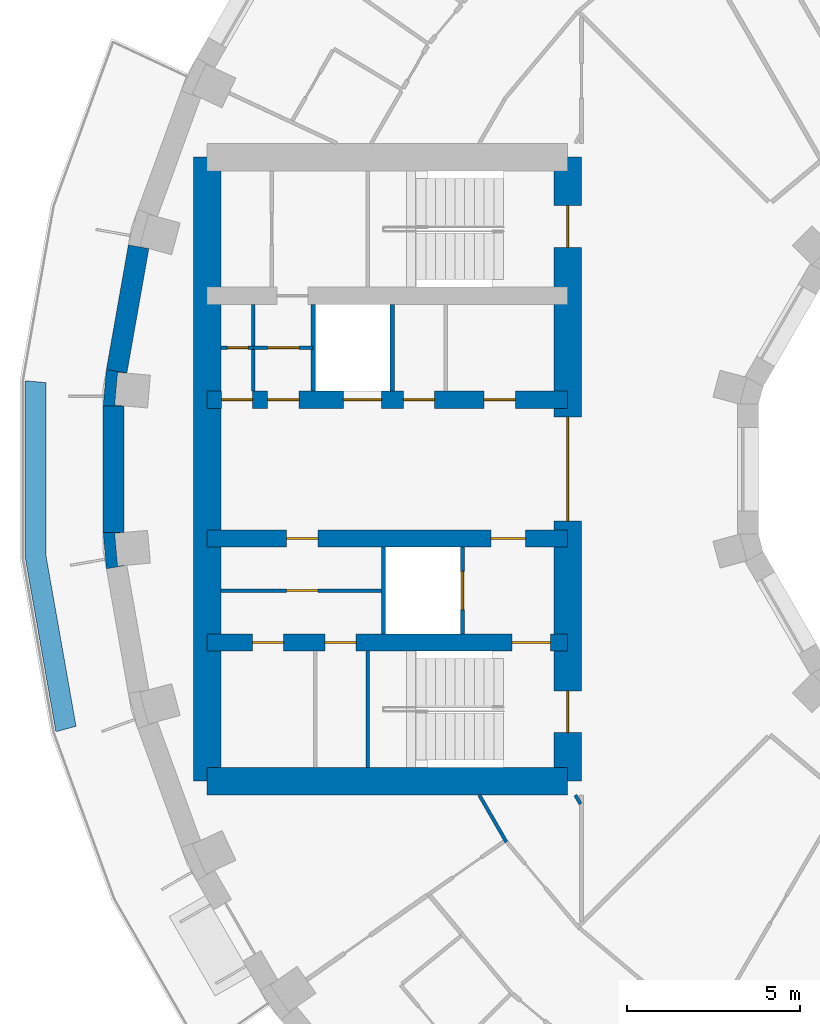
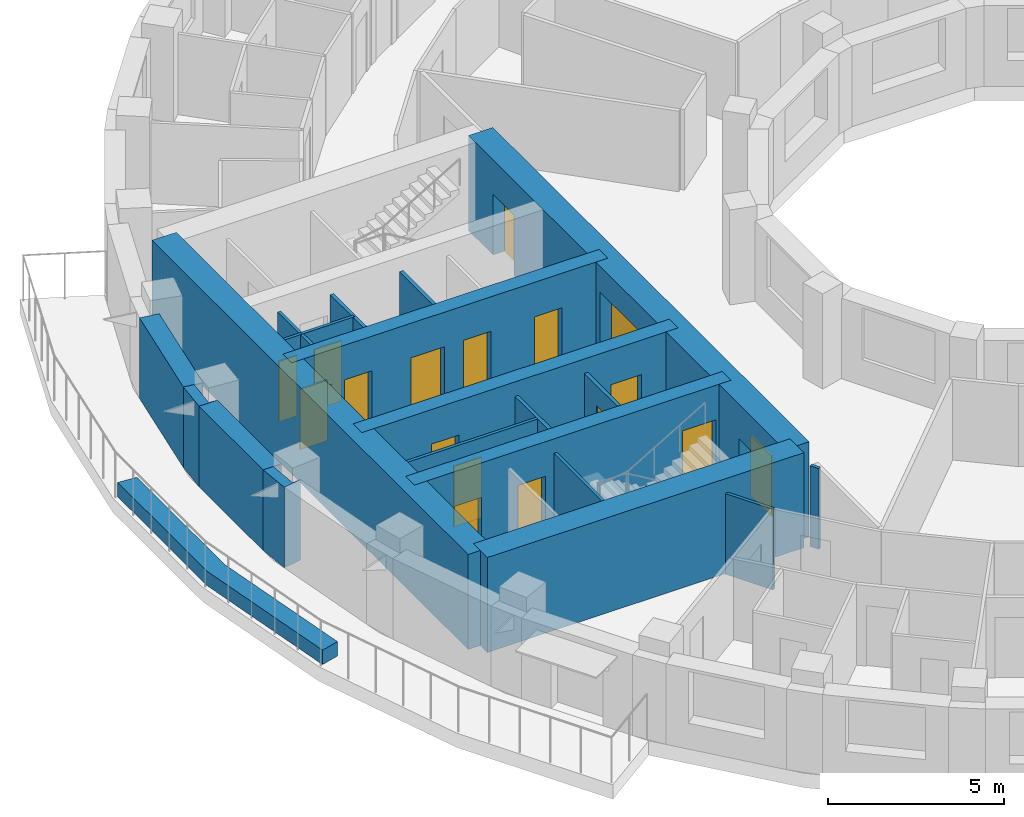
# One storey, part 4 of 12: 22 walls, 17 doors, 17 openings.
"""IFC4 building model written with IfcOpenShell, lengths in metres."""

from ifc_helpers import new_model, si_unit, direction, frame, frame_2d, origin, place, context, subcontext, project, spatial, polyline, rectangle, outline, extrude, material, layer, layer_set, type_object, element, fill, save


model = new_model("IFC4")

# Units and contexts
model_context = context("Model", 3, precision=1e-05, world=origin(), true_north=direction((0.0, 1.0)))
body_context = subcontext(model_context, "Body", "Model", "MODEL_VIEW")
ifc_project = project(units=[si_unit("LENGTHUNIT", "METRE"), si_unit("AREAUNIT", "SQUARE_METRE"), si_unit("VOLUMEUNIT", "CUBIC_METRE"), si_unit("PLANEANGLEUNIT", "RADIAN"), si_unit("MASSUNIT", "GRAM", prefix="KILO")], contexts=[model_context])

# Site, building, storey
site_placement = place(None, origin())
site = spatial("IfcSite", under=ifc_project, at=site_placement, CompositionType="ELEMENT")
building_placement = place(site_placement, origin())
building = spatial("IfcBuilding", under=site, at=building_placement, Name="Saqina Gate Tower", CompositionType="ELEMENT")
storey_placement = place(building_placement, frame((0.0, 0.0, 111.699951171875)))
storey = spatial("IfcBuildingStorey", under=building, at=storey_placement, Name="L31", CompositionType="ELEMENT", Elevation=111.699951171875)

# Walls
ifc_material_1 = material(Name="Brick masonry (buff)", Category="masonry")
wall_type_1 = type_object("IfcWallType", Name="BRICK PIER COPING BUFF", PredefinedType="SOLIDWALL", material=ifc_material_1)
wall_1_placement = place(storey_placement, origin())
element("IfcWall", 1, at=wall_1_placement, inside=storey, type_object=wall_type_1, Name="Pier cap L31 column 18", PredefinedType="SOLIDWALL", context=body_context, shape_type="SweptSolid", body=[
    extrude(outline(polyline([(-26.805419921875, 2.87451171875), (-26.897216796875, 1.823974609375), (-26.29736328125, 1.823974609375), (-26.565185546875, 1.847412109375), (-26.482421875, 2.793701171875), (-26.214599609375, 2.770263671875), (-26.805419921875, 2.87451171875)])), origin(), (0.0, 0.0, 1.0), 2.800048828125),
])
wall_2_placement = place(storey_placement, origin())
element("IfcWall", 2, at=wall_2_placement, inside=storey, type_object=wall_type_1, Name="Pier cap L31 column 19", PredefinedType="SOLIDWALL", context=body_context, shape_type="SweptSolid", body=[
    extrude(outline(polyline([(-26.805419921875, -2.87451171875), (-26.214599609375, -2.770263671875), (-26.482421875, -2.793701171875), (-26.565185546875, -1.847412109375), (-26.29736328125, -1.823974609375), (-26.897216796875, -1.823974609375), (-26.805419921875, -2.87451171875)])), origin(), (0.0, 0.0, 1.0), 2.800048828125),
])
ifc_material_2 = material(Name="Gypsum board on steel studs", Category="steel")
ifc_layer_1 = layer(ifc_material_2, 0.10009765625)
ifc_layer_set_1 = layer_set([ifc_layer_1], Name="CORE PARTITION")
wall_type_2 = type_object("IfcWallType", Name="CORE PARTITION", PredefinedType="PARTITIONING", material=ifc_layer_set_1)
wall_3_placement = place(storey_placement, frame((-22.569091796875, 2.25, 0.0), z_axis=(0.0, 0.0, 1.0), x_axis=(0.0, 1.0, 0.0)))
element("IfcWall", 3, at=wall_3_placement, inside=storey, type_object=wall_type_2, Name="L31-CP-W04", PredefinedType="PARTITIONING", context=body_context, shape_type="SweptSolid", body=[
    extrude(rectangle(XDim=2.5, YDim=0.10009765625, at=frame_2d((1.25, 0.0))), origin(), (0.0, 0.0, 1.0), 2.800048828125),
])

# Wall, opening, door
wall_4_placement = place(storey_placement, frame((-20.840087890625, 3.5, 0.0), z_axis=(0.0, 0.0, 1.0), x_axis=(-1.0, 0.0, 0.0)))
wall_4 = element("IfcWall", 4, at=wall_4_placement, inside=storey, type_object=wall_type_2, Name="L31-CP-W07", PredefinedType="PARTITIONING", context=body_context, shape_type="SweptSolid", body=[
    extrude(rectangle(XDim=1.72900390625, YDim=0.10009765625, at=frame_2d((0.864501953125, 0.0))), origin(), (0.0, 0.0, 1.0), 2.800048828125),
])
opening_1_placement = place(wall_4_placement, frame((0.41455078125, 0.0, 0.0)))
opening_1 = element("IfcOpeningElement", 5, at=opening_1_placement, cuts=wall_4, Name="Opening G09-D114", PredefinedType="OPENING", context=body_context, shape_type="SweptSolid", body=[
    extrude(rectangle(XDim=0.89990234375, YDim=2.10009765625, at=frame_2d((0.449951171875, 1.050048828125))), frame((0.0, 0.06201171875, 0.0), z_axis=(0.0, -1.0, 0.0), x_axis=(1.0, 0.0, 0.0)), (0.0, 0.0, 1.0), 0.1240234375),
])
ifc_material_3 = material(Name="Steel-framed fire door leaf, EI 60", Category="steel")
door_type_1 = type_object("IfcDoorType", Name="SERVICE ROOM DOOR 900", OperationType="SINGLE_SWING_LEFT", PredefinedType="DOOR", material=ifc_material_3)
door_1_placement = place(opening_1_placement, frame((0.89990234375, 0.0, 0.0), z_axis=(0.0, 0.0, 1.0), x_axis=(-1.0, 0.0, 0.0)))
door_1 = element("IfcDoor", 6, at=door_1_placement, inside=storey, type_object=door_type_1, Name="L31-CD-W25", OperationType="SINGLE_SWING_RIGHT", OverallHeight=2.10009765625, OverallWidth=0.89990234375, PredefinedType="DOOR", context=body_context, shape_type="SweptSolid", body=[
    extrude(rectangle(XDim=0.89990234375, YDim=2.10009765625, at=frame_2d((0.449951171875, 1.050048828125))), frame((0.0, 0.02490234375, 0.0), z_axis=(0.0, -1.0, 0.0), x_axis=(1.0, 0.0, 0.0)), (0.0, 0.0, 1.0), 0.050048828125),
])
fill(opening_1, door_1)

wall_5_placement = place(storey_placement, frame((-22.569091796875, 3.5, 0.0), z_axis=(0.0, 0.0, 1.0), x_axis=(-1.0, 0.0, 0.0)))
wall_5 = element("IfcWall", 7, at=wall_5_placement, inside=storey, type_object=wall_type_2, Name="L31-CP-W08", PredefinedType="PARTITIONING", context=body_context, shape_type="SweptSolid", body=[
    extrude(rectangle(XDim=0.930908203125, YDim=0.10009765625, at=frame_2d((0.46533203125, 0.0))), origin(), (0.0, 0.0, 1.0), 2.800048828125),
])
opening_2_placement = place(wall_5_placement, frame((0.14990234375, 0.0, 0.0)))
opening_2 = element("IfcOpeningElement", 8, at=opening_2_placement, cuts=wall_5, Name="Opening G09-D113", PredefinedType="OPENING", context=body_context, shape_type="SweptSolid", body=[
    extrude(rectangle(XDim=0.60009765625, YDim=2.10009765625, at=frame_2d((0.300048828125, 1.050048828125))), frame((0.0, 0.06201171875, 0.0), z_axis=(0.0, -1.0, 0.0), x_axis=(1.0, 0.0, 0.0)), (0.0, 0.0, 1.0), 0.1240234375),
])
ifc_material_4 = material(Name="Steel-framed fire door leaf, EI 60", Category="steel")
door_type_2 = type_object("IfcDoorType", Name="SERVICE ROOM DOOR 600", OperationType="SINGLE_SWING_LEFT", PredefinedType="DOOR", material=ifc_material_4)
door_2_placement = place(opening_2_placement, origin())
door_2 = element("IfcDoor", 9, at=door_2_placement, inside=storey, type_object=door_type_2, Name="L31-CD-W24", OperationType="SINGLE_SWING_RIGHT", OverallHeight=2.10009765625, OverallWidth=0.60009765625, PredefinedType="DOOR", context=body_context, shape_type="SweptSolid", body=[
    extrude(rectangle(XDim=0.60009765625, YDim=2.10009765625, at=frame_2d((0.300048828125, 1.050048828125))), frame((0.0, 0.02490234375, 0.0), z_axis=(0.0, -1.0, 0.0), x_axis=(1.0, 0.0, 0.0)), (0.0, 0.0, 1.0), 0.050048828125),
])
fill(opening_2, door_2)

wall_6_placement = place(storey_placement, frame((-18.81005859375, -3.5, 0.0), z_axis=(0.0, 0.0, 1.0), x_axis=(-1.0, 0.0, 0.0)))
wall_6 = element("IfcWall", 10, at=wall_6_placement, inside=storey, type_object=wall_type_2, Name="L31-CP-W09", PredefinedType="PARTITIONING", context=body_context, shape_type="SweptSolid", body=[
    extrude(rectangle(XDim=4.68994140625, YDim=0.10009765625, at=frame_2d((2.344970703125, 0.0))), origin(), (0.0, 0.0, 1.0), 2.800048828125),
])
opening_3_placement = place(wall_6_placement, frame((1.89501953125, 0.0, 0.0)))
opening_3 = element("IfcOpeningElement", 11, at=opening_3_placement, cuts=wall_6, Name="Opening G09-D117", PredefinedType="OPENING", context=body_context, shape_type="SweptSolid", body=[
    extrude(rectangle(XDim=0.89990234375, YDim=2.10009765625, at=frame_2d((0.449951171875, 1.050048828125))), frame((0.0, 0.06201171875, 0.0), z_axis=(0.0, -1.0, 0.0), x_axis=(1.0, 0.0, 0.0)), (0.0, 0.0, 1.0), 0.1240234375),
])
door_3_placement = place(opening_3_placement, origin())
door_3 = element("IfcDoor", 12, at=door_3_placement, inside=storey, type_object=door_type_1, Name="L31-CD-W28", OperationType="SINGLE_SWING_LEFT", OverallHeight=2.10009765625, OverallWidth=0.89990234375, PredefinedType="DOOR", context=body_context, shape_type="SweptSolid", body=[
    extrude(rectangle(XDim=0.89990234375, YDim=2.10009765625, at=frame_2d((0.449951171875, 1.050048828125))), frame((0.0, 0.02490234375, 0.0), z_axis=(0.0, -1.0, 0.0), x_axis=(1.0, 0.0, 0.0)), (0.0, 0.0, 1.0), 0.050048828125),
])
fill(opening_3, door_3)

# Walls
ifc_material_5 = material(Name="Glazed ceramic tile", Category="ceramic")
ifc_layer_2 = layer(ifc_material_5, 0.60009765625)
ifc_layer_set_2 = layer_set([ifc_layer_2], Name="FW-TILE")
wall_type_3 = type_object("IfcWallType", Name="FW-TILE", PredefinedType="SOLIDWALL", material=ifc_layer_set_2)
wall_7_placement = place(storey_placement, frame((-26.59716796875, 1.823974609375, 0.0), z_axis=(0.0, 0.0, 1.0), x_axis=(0.0, -1.0, 0.0)))
element("IfcWall", 13, at=wall_7_placement, inside=storey, type_object=wall_type_3, Name="Facade wall L31 facet 18", PredefinedType="SOLIDWALL", context=body_context, shape_type="SweptSolid", body=[
    extrude(rectangle(XDim=3.64794921875, YDim=0.60009765625, at=frame_2d((1.823974609375, 0.0))), origin(), (0.0, 0.0, 1.0), 2.800048828125),
])
ifc_material_6 = material(Name="Glazed ceramic tile (white)", Category="ceramic")
ifc_layer_3 = layer(ifc_material_6, 0.60009765625)
ifc_layer_set_3 = layer_set([ifc_layer_3], Name="FW-TILE-WH")
wall_type_4 = type_object("IfcWallType", Name="FW-TILE-WH", PredefinedType="SOLIDWALL", material=ifc_layer_set_3)
wall_8_placement = place(storey_placement, frame((-25.87646484375, 6.414794921875, 0.0), z_axis=(0.0, 0.0, 1.0), x_axis=(-0.173670796382, -0.984803764455, 0.0)))
element("IfcWall", 14, at=wall_8_placement, inside=storey, type_object=wall_type_4, Name="Facade wall L31 facet 17", PredefinedType="SOLIDWALL", context=body_context, shape_type="SweptSolid", body=[
    extrude(rectangle(XDim=3.64794921875, YDim=0.60009765625, at=frame_2d((1.823974609375, 0.0))), origin(), (0.0, 0.0, 1.0), 2.800048828125),
])
ifc_material_7 = material(Name="Gypsum board on steel studs, 100 mm", Category="steel")
ifc_layer_4 = layer(ifc_material_7, 0.10009765625)
ifc_layer_set_4 = layer_set([ifc_layer_4], Name="PARTITION 100")
wall_type_5 = type_object("IfcWallType", Name="PARTITION 100", PredefinedType="PARTITIONING", material=ifc_layer_set_4)
wall_9_placement = place(storey_placement, frame((-13.278076171875, -9.40087890625, 0.0), z_axis=(0.0, 0.0, 1.0), x_axis=(0.49953088146, -0.866296080141, 0.0)))
element("IfcWall", 15, at=wall_9_placement, inside=storey, type_object=wall_type_5, Name="PARTITION PW3-11", PredefinedType="PARTITIONING", context=body_context, shape_type="SweptSolid", body=[
    extrude(rectangle(XDim=0.294189453125, YDim=0.10009765625, at=frame_2d((0.14697265625, 0.0))), origin(), (0.0, 0.0, 1.0), 2.800048828125),
])
wall_10_placement = place(storey_placement, frame((-16.050048828125, -9.39794921875, 0.0), z_axis=(0.0, 0.0, 1.0), x_axis=(0.499614353746, -0.866247942296, 0.0)))
element("IfcWall", 16, at=wall_10_placement, inside=storey, type_object=wall_type_5, Name="PARTITION PW3-12", PredefinedType="PARTITIONING", context=body_context, shape_type="SweptSolid", body=[
    extrude(rectangle(XDim=1.564208984375, YDim=0.10009765625, at=frame_2d((0.7822265625, 0.0))), origin(), (0.0, 0.0, 1.0), 2.800048828125),
])
ifc_material_8 = material(Name="Brick masonry (red)", Category="masonry")
ifc_layer_5 = layer(ifc_material_8, 0.60009765625)
ifc_layer_set_5 = layer_set([ifc_layer_5], Name="PL-PLANTER")
wall_type_6 = type_object("IfcWallType", Name="PL-PLANTER", PredefinedType="PARAPET", material=ifc_layer_set_5)
wall_11_placement = place(storey_placement, origin())
element("IfcWall", 17, at=wall_11_placement, inside=storey, type_object=wall_type_6, Name="Planter L31", PredefinedType="PARAPET", context=body_context, shape_type="SweptSolid", body=[
    extrude(outline(polyline([(-29.147216796875, 2.550048828125), (-29.147216796875, -2.550048828125), (-28.26171875, -7.57275390625), (-27.679931640625, -7.416748046875), (-28.54736328125, -2.49755859375), (-28.54736328125, 2.49755859375), (-29.147216796875, 2.550048828125)])), origin(), (0.0, 0.0, 1.0), 0.5),
])
ifc_material_9 = material(Name="Autoclaved aerated concrete block", Category="concrete")
ifc_layer_6 = layer(ifc_material_9, 0.1201171875)
ifc_layer_set_6 = layer_set([ifc_layer_6], Name="SHAFT PARTITION")
wall_type_7 = type_object("IfcWallType", Name="SHAFT PARTITION", PredefinedType="PARTITIONING", material=ifc_layer_set_6)
for number, where, z_axis, x_axis, name in (
    (18, (-18.56005859375, 2.25, 0.0), (0.0, 0.0, 1.0), (0.0, 1.0, 0.0), "L31-CP-W02"),
    (19, (-20.840087890625, 2.25, 0.0), (0.0, 0.0, 1.0), (0.0, 1.0, 0.0), "L31-CP-W03"),
):
    element("IfcWall", number, at=place(storey_placement, frame(where, z_axis=z_axis, x_axis=x_axis)), inside=storey, type_object=wall_type_7, Name=name, PredefinedType="PARTITIONING", context=body_context, shape_type="SweptSolid", body=[
        extrude(rectangle(XDim=2.5, YDim=0.1201171875, at=frame_2d((1.25, 0.0))), origin(), (0.0, 0.0, 1.0), 2.800048828125),
    ])

# Wall, opening, door
wall_12_placement = place(storey_placement, frame((-16.530029296875, -4.75, 0.0), z_axis=(0.0, 0.0, 1.0), x_axis=(0.0, 1.0, 0.0)))
wall_12 = element("IfcWall", 20, at=wall_12_placement, inside=storey, type_object=wall_type_7, Name="L31-CP-W05", PredefinedType="PARTITIONING", context=body_context, shape_type="SweptSolid", body=[
    extrude(rectangle(XDim=2.5, YDim=0.1201171875, at=frame_2d((1.25, 0.0))), origin(), (0.0, 0.0, 1.0), 2.800048828125),
])
opening_4_placement = place(wall_12_placement, frame((0.699951171875, 0.0, 0.0)))
opening_4 = element("IfcOpeningElement", 21, at=opening_4_placement, cuts=wall_12, Name="Opening G09-LD4", PredefinedType="OPENING", context=body_context, shape_type="SweptSolid", body=[
    extrude(rectangle(XDim=1.10009765625, YDim=2.10009765625, at=frame_2d((0.550048828125, 1.050048828125))), frame((0.0, 0.072021484375, 0.0), z_axis=(0.0, -1.0, 0.0), x_axis=(1.0, 0.0, 0.0)), (0.0, 0.0, 1.0), 0.14404296875),
])
ifc_material_10 = material(Name="Stainless steel", Category="steel")
door_type_3 = type_object("IfcDoorType", Name="LANDING DOOR", OperationType="DOUBLE_DOOR_SLIDING", PredefinedType="DOOR", material=ifc_material_10)
door_4_placement = place(opening_4_placement, origin())
door_4 = element("IfcDoor", 22, at=door_4_placement, inside=storey, type_object=door_type_3, Name="LANDING DOOR FF2", OperationType="DOUBLE_DOOR_SLIDING", OverallHeight=2.10009765625, OverallWidth=1.10009765625, PredefinedType="DOOR", context=body_context, shape_type="SweptSolid", body=[
    extrude(rectangle(XDim=1.10009765625, YDim=2.10009765625, at=frame_2d((0.550048828125, 1.050048828125))), frame((0.0, 0.02490234375, 0.0), z_axis=(0.0, -1.0, 0.0), x_axis=(1.0, 0.0, 0.0)), (0.0, 0.0, 1.0), 0.050048828125),
])
fill(opening_4, door_4)

# Walls
wall_13_placement = place(storey_placement, frame((-18.81005859375, -4.75, 0.0), z_axis=(0.0, 0.0, 1.0), x_axis=(0.0, 1.0, 0.0)))
element("IfcWall", 23, at=wall_13_placement, inside=storey, type_object=wall_type_7, Name="L31-CP-W06", PredefinedType="PARTITIONING", context=body_context, shape_type="SweptSolid", body=[
    extrude(rectangle(XDim=2.5, YDim=0.1201171875, at=frame_2d((1.25, 0.0))), origin(), (0.0, 0.0, 1.0), 2.800048828125),
])
ifc_material_11 = material(Name="Autoclaved aerated concrete block", Category="concrete")
ifc_layer_7 = layer(ifc_material_11, 0.10009765625)
ifc_layer_set_7 = layer_set([ifc_layer_7], Name="STAIR ENCLOSURE WALL")
wall_type_8 = type_object("IfcWallType", Name="STAIR ENCLOSURE WALL", PredefinedType="PARTITIONING", material=ifc_layer_set_7)
wall_14_placement = place(storey_placement, frame((-19.27001953125, -8.60009765625, 0.0), z_axis=(0.0, 0.0, 1.0), x_axis=(0.0, 1.0, 0.0)))
element("IfcWall", 24, at=wall_14_placement, inside=storey, type_object=wall_type_8, Name="L31-CP-W12", PredefinedType="PARTITIONING", context=body_context, shape_type="SweptSolid", body=[
    extrude(rectangle(XDim=3.35009765625, YDim=0.10009765625, at=frame_2d((1.675048828125, 0.0))), origin(), (0.0, 0.0, 1.0), 2.800048828125),
])

# Wall, openings, doors
ifc_material_12 = material(Name="Concrete C70/85", Category="concrete")
ifc_layer_8 = layer(ifc_material_12, 0.5)
ifc_layer_set_8 = layer_set([ifc_layer_8], Name="Concrete C70/85")
wall_type_9 = type_object("IfcWallType", Name="STR-CORE WALL-B-I", PredefinedType="SHEAR", material=ifc_layer_set_8)
wall_15_placement = place(storey_placement, frame((-13.5, -5.0, 0.0), z_axis=(0.0, 0.0, 1.0), x_axis=(-1.0, 0.0, 0.0)))
wall_15 = element("IfcWall", 25, at=wall_15_placement, inside=storey, type_object=wall_type_9, Name="CORE WALL L31 W-X2", PredefinedType="SHEAR", context=body_context, shape_type="SweptSolid", body=[
    extrude(rectangle(XDim=10.39990234375, YDim=0.5, at=frame_2d((5.199951171875, 0.0))), origin(), (0.0, 0.0, 1.0), 3.300048828125),
])
opening_5_placement = place(wall_15_placement, frame((6.1015625, 0.0, 0.0)))
opening_5 = element("IfcOpeningElement", 26, at=opening_5_placement, cuts=wall_15, Name="Opening G09-D118", PredefinedType="OPENING", context=body_context, shape_type="SweptSolid", body=[
    extrude(rectangle(XDim=0.89990234375, YDim=2.10009765625, at=frame_2d((0.449951171875, 1.050048828125))), frame((0.0, 0.261962890625, 0.0), z_axis=(0.0, -1.0, 0.0), x_axis=(1.0, 0.0, 0.0)), (0.0, 0.0, 1.0), 0.52392578125),
])
opening_6_placement = place(wall_15_placement, frame((8.19140625, 0.0, 0.0)))
opening_6 = element("IfcOpeningElement", 27, at=opening_6_placement, cuts=wall_15, Name="Opening G09-D119", PredefinedType="OPENING", context=body_context, shape_type="SweptSolid", body=[
    extrude(rectangle(XDim=0.89990234375, YDim=2.10009765625, at=frame_2d((0.449951171875, 1.050048828125))), frame((0.0, 0.261962890625, 0.0), z_axis=(0.0, -1.0, 0.0), x_axis=(1.0, 0.0, 0.0)), (0.0, 0.0, 1.0), 0.52392578125),
])
opening_7_placement = place(wall_15_placement, frame((0.5, 0.0, 0.0)))
opening_7 = element("IfcOpeningElement", 28, at=opening_7_placement, cuts=wall_15, Name="Opening G09-D120", PredefinedType="OPENING", context=body_context, shape_type="SweptSolid", body=[
    extrude(rectangle(XDim=1.10009765625, YDim=2.10009765625, at=frame_2d((0.550048828125, 1.050048828125))), frame((0.0, 0.261962890625, 0.0), z_axis=(0.0, -1.0, 0.0), x_axis=(1.0, 0.0, 0.0)), (0.0, 0.0, 1.0), 0.52392578125),
])
ifc_material_13 = material(Name="Steel", Category="steel")
door_type_4 = type_object("IfcDoorType", Name="FIRE LOBBY DOOR EI 60 WIDE", OperationType="SINGLE_SWING_LEFT", PredefinedType="DOOR", material=ifc_material_13)
door_5_placement = place(opening_7_placement, origin())
door_5 = element("IfcDoor", 29, at=door_5_placement, inside=storey, type_object=door_type_4, Name="L31-CD-W31", OperationType="SINGLE_SWING_LEFT", OverallHeight=2.10009765625, OverallWidth=1.10009765625, PredefinedType="DOOR", context=body_context, shape_type="SweptSolid", body=[
    extrude(rectangle(XDim=1.10009765625, YDim=2.10009765625, at=frame_2d((0.550048828125, 1.050048828125))), frame((0.0, 0.02490234375, 0.0), z_axis=(0.0, -1.0, 0.0), x_axis=(1.0, 0.0, 0.0)), (0.0, 0.0, 1.0), 0.050048828125),
])
fill(opening_7, door_5)
door_6_placement = place(opening_5_placement, frame((0.89990234375, 0.0, 0.0), z_axis=(0.0, 0.0, 1.0), x_axis=(-1.0, 0.0, 0.0)))
door_6 = element("IfcDoor", 30, at=door_6_placement, inside=storey, type_object=door_type_1, Name="L31-CD-W29", OperationType="SINGLE_SWING_LEFT", OverallHeight=2.10009765625, OverallWidth=0.89990234375, PredefinedType="DOOR", context=body_context, shape_type="SweptSolid", body=[
    extrude(rectangle(XDim=0.89990234375, YDim=2.10009765625, at=frame_2d((0.449951171875, 1.050048828125))), frame((0.0, 0.02490234375, 0.0), z_axis=(0.0, -1.0, 0.0), x_axis=(1.0, 0.0, 0.0)), (0.0, 0.0, 1.0), 0.050048828125),
])
fill(opening_5, door_6)
door_7_placement = place(opening_6_placement, origin())
door_7 = element("IfcDoor", 31, at=door_7_placement, inside=storey, type_object=door_type_1, Name="L31-CD-W30", OperationType="SINGLE_SWING_RIGHT", OverallHeight=2.10009765625, OverallWidth=0.89990234375, PredefinedType="DOOR", context=body_context, shape_type="SweptSolid", body=[
    extrude(rectangle(XDim=0.89990234375, YDim=2.10009765625, at=frame_2d((0.449951171875, 1.050048828125))), frame((0.0, 0.02490234375, 0.0), z_axis=(0.0, -1.0, 0.0), x_axis=(1.0, 0.0, 0.0)), (0.0, 0.0, 1.0), 0.050048828125),
])
fill(opening_6, door_7)

wall_16_placement = place(storey_placement, frame((-13.5, 2.0, 0.0), z_axis=(0.0, 0.0, 1.0), x_axis=(-1.0, 0.0, 0.0)))
wall_16 = element("IfcWall", 32, at=wall_16_placement, inside=storey, type_object=wall_type_9, Name="CORE WALL L31 W-L1", PredefinedType="SHEAR", context=body_context, shape_type="SweptSolid", body=[
    extrude(rectangle(XDim=10.39990234375, YDim=0.5, at=frame_2d((5.199951171875, 0.0))), origin(), (0.0, 0.0, 1.0), 3.300048828125),
])
opening_8_placement = place(wall_16_placement, frame((5.3701171875, 0.0, 0.0)))
opening_8 = element("IfcOpeningElement", 33, at=opening_8_placement, cuts=wall_16, Name="Opening G09-LD3", PredefinedType="OPENING", context=body_context, shape_type="SweptSolid", body=[
    extrude(rectangle(XDim=1.10009765625, YDim=2.10009765625, at=frame_2d((0.550048828125, 1.050048828125))), frame((0.0, 0.261962890625, 0.0), z_axis=(0.0, -1.0, 0.0), x_axis=(1.0, 0.0, 0.0)), (0.0, 0.0, 1.0), 0.52392578125),
])
opening_9_placement = place(wall_16_placement, frame((1.510986328125, 0.0, 0.0)))
opening_9 = element("IfcOpeningElement", 34, at=opening_9_placement, cuts=wall_16, Name="Opening G09-D107", PredefinedType="OPENING", context=body_context, shape_type="SweptSolid", body=[
    extrude(rectangle(XDim=0.89990234375, YDim=2.10009765625, at=frame_2d((0.449951171875, 1.050048828125))), frame((0.0, 0.261962890625, 0.0), z_axis=(0.0, -1.0, 0.0), x_axis=(1.0, 0.0, 0.0)), (0.0, 0.0, 1.0), 0.52392578125),
])
opening_10_placement = place(wall_16_placement, frame((3.841064453125, 0.0, 0.0)))
opening_10 = element("IfcOpeningElement", 35, at=opening_10_placement, cuts=wall_16, Name="Opening G09-D108", PredefinedType="OPENING", context=body_context, shape_type="SweptSolid", body=[
    extrude(rectangle(XDim=0.89990234375, YDim=2.10009765625, at=frame_2d((0.449951171875, 1.050048828125))), frame((0.0, 0.261962890625, 0.0), z_axis=(0.0, -1.0, 0.0), x_axis=(1.0, 0.0, 0.0)), (0.0, 0.0, 1.0), 0.52392578125),
])
opening_11_placement = place(wall_16_placement, frame((7.75439453125, 0.0, 0.0)))
opening_11 = element("IfcOpeningElement", 36, at=opening_11_placement, cuts=wall_16, Name="Opening G09-D109", PredefinedType="OPENING", context=body_context, shape_type="SweptSolid", body=[
    extrude(rectangle(XDim=0.89990234375, YDim=2.10009765625, at=frame_2d((0.449951171875, 1.050048828125))), frame((0.0, 0.261962890625, 0.0), z_axis=(0.0, -1.0, 0.0), x_axis=(1.0, 0.0, 0.0)), (0.0, 0.0, 1.0), 0.52392578125),
])
opening_12_placement = place(wall_16_placement, frame((9.08447265625, 0.0, 0.0)))
opening_12 = element("IfcOpeningElement", 37, at=opening_12_placement, cuts=wall_16, Name="Opening G09-D110", PredefinedType="OPENING", context=body_context, shape_type="SweptSolid", body=[
    extrude(rectangle(XDim=0.89990234375, YDim=2.10009765625, at=frame_2d((0.449951171875, 1.050048828125))), frame((0.0, 0.261962890625, 0.0), z_axis=(0.0, -1.0, 0.0), x_axis=(1.0, 0.0, 0.0)), (0.0, 0.0, 1.0), 0.52392578125),
])
door_8_placement = place(opening_8_placement, origin())
door_8 = element("IfcDoor", 38, at=door_8_placement, inside=storey, type_object=door_type_3, Name="LANDING DOOR MR2", OperationType="DOUBLE_DOOR_SLIDING", OverallHeight=2.10009765625, OverallWidth=1.10009765625, PredefinedType="DOOR", context=body_context, shape_type="SweptSolid", body=[
    extrude(rectangle(XDim=1.10009765625, YDim=2.10009765625, at=frame_2d((0.550048828125, 1.050048828125))), frame((0.0, 0.02490234375, 0.0), z_axis=(0.0, -1.0, 0.0), x_axis=(1.0, 0.0, 0.0)), (0.0, 0.0, 1.0), 0.050048828125),
])
fill(opening_8, door_8)
door_9_placement = place(opening_9_placement, frame((0.89990234375, 0.0, 0.0), z_axis=(0.0, 0.0, 1.0), x_axis=(-1.0, 0.0, 0.0)))
door_9 = element("IfcDoor", 39, at=door_9_placement, inside=storey, type_object=door_type_1, Name="L31-CD-W18", OperationType="SINGLE_SWING_RIGHT", OverallHeight=2.10009765625, OverallWidth=0.89990234375, PredefinedType="DOOR", context=body_context, shape_type="SweptSolid", body=[
    extrude(rectangle(XDim=0.89990234375, YDim=2.10009765625, at=frame_2d((0.449951171875, 1.050048828125))), frame((0.0, 0.02490234375, 0.0), z_axis=(0.0, -1.0, 0.0), x_axis=(1.0, 0.0, 0.0)), (0.0, 0.0, 1.0), 0.050048828125),
])
fill(opening_9, door_9)
door_10_placement = place(opening_10_placement, frame((0.89990234375, 0.0, 0.0), z_axis=(0.0, 0.0, 1.0), x_axis=(-1.0, 0.0, 0.0)))
door_10 = element("IfcDoor", 40, at=door_10_placement, inside=storey, type_object=door_type_1, Name="L31-CD-W19", OperationType="SINGLE_SWING_LEFT", OverallHeight=2.10009765625, OverallWidth=0.89990234375, PredefinedType="DOOR", context=body_context, shape_type="SweptSolid", body=[
    extrude(rectangle(XDim=0.89990234375, YDim=2.10009765625, at=frame_2d((0.449951171875, 1.050048828125))), frame((0.0, 0.02490234375, 0.0), z_axis=(0.0, -1.0, 0.0), x_axis=(1.0, 0.0, 0.0)), (0.0, 0.0, 1.0), 0.050048828125),
])
fill(opening_10, door_10)
door_11_placement = place(opening_11_placement, frame((0.89990234375, 0.0, 0.0), z_axis=(0.0, 0.0, 1.0), x_axis=(-1.0, 0.0, 0.0)))
door_11 = element("IfcDoor", 41, at=door_11_placement, inside=storey, type_object=door_type_1, Name="L31-CD-W20", OperationType="SINGLE_SWING_RIGHT", OverallHeight=2.10009765625, OverallWidth=0.89990234375, PredefinedType="DOOR", context=body_context, shape_type="SweptSolid", body=[
    extrude(rectangle(XDim=0.89990234375, YDim=2.10009765625, at=frame_2d((0.449951171875, 1.050048828125))), frame((0.0, 0.02490234375, 0.0), z_axis=(0.0, -1.0, 0.0), x_axis=(1.0, 0.0, 0.0)), (0.0, 0.0, 1.0), 0.050048828125),
])
fill(opening_11, door_11)
door_12_placement = place(opening_12_placement, frame((0.89990234375, 0.0, 0.0), z_axis=(0.0, 0.0, 1.0), x_axis=(-1.0, 0.0, 0.0)))
door_12 = element("IfcDoor", 42, at=door_12_placement, inside=storey, type_object=door_type_1, Name="L31-CD-W21", OperationType="SINGLE_SWING_LEFT", OverallHeight=2.10009765625, OverallWidth=0.89990234375, PredefinedType="DOOR", context=body_context, shape_type="SweptSolid", body=[
    extrude(rectangle(XDim=0.89990234375, YDim=2.10009765625, at=frame_2d((0.449951171875, 1.050048828125))), frame((0.0, 0.02490234375, 0.0), z_axis=(0.0, -1.0, 0.0), x_axis=(1.0, 0.0, 0.0)), (0.0, 0.0, 1.0), 0.050048828125),
])
fill(opening_12, door_12)

wall_17_placement = place(storey_placement, frame((-13.5, -2.0, 0.0), z_axis=(0.0, 0.0, 1.0), x_axis=(-1.0, 0.0, 0.0)))
wall_17 = element("IfcWall", 43, at=wall_17_placement, inside=storey, type_object=wall_type_9, Name="CORE WALL L31 W-L2", PredefinedType="SHEAR", context=body_context, shape_type="SweptSolid", body=[
    extrude(rectangle(XDim=10.39990234375, YDim=0.5, at=frame_2d((5.199951171875, 0.0))), origin(), (0.0, 0.0, 1.0), 3.300048828125),
])
opening_13_placement = place(wall_17_placement, frame((1.215087890625, 0.0, 0.0)))
opening_13 = element("IfcOpeningElement", 44, at=opening_13_placement, cuts=wall_17, Name="Opening G09-D111", PredefinedType="OPENING", context=body_context, shape_type="SweptSolid", body=[
    extrude(rectangle(XDim=1.0, YDim=2.10009765625, at=frame_2d((0.5, 1.050048828125))), frame((0.0, 0.261962890625, 0.0), z_axis=(0.0, -1.0, 0.0), x_axis=(1.0, 0.0, 0.0)), (0.0, 0.0, 1.0), 0.52392578125),
])
opening_14_placement = place(wall_17_placement, frame((7.205078125, 0.0, 0.0)))
opening_14 = element("IfcOpeningElement", 45, at=opening_14_placement, cuts=wall_17, Name="Opening G09-D112", PredefinedType="OPENING", context=body_context, shape_type="SweptSolid", body=[
    extrude(rectangle(XDim=0.89990234375, YDim=2.10009765625, at=frame_2d((0.449951171875, 1.050048828125))), frame((0.0, 0.261962890625, 0.0), z_axis=(0.0, -1.0, 0.0), x_axis=(1.0, 0.0, 0.0)), (0.0, 0.0, 1.0), 0.52392578125),
])
ifc_material_14 = material(Name="Steel", Category="steel")
door_type_5 = type_object("IfcDoorType", Name="FIRE LOBBY DOOR EI 60", OperationType="SINGLE_SWING_LEFT", PredefinedType="DOOR", material=ifc_material_14)
door_13_placement = place(opening_13_placement, frame((1.0, 0.0, 0.0), z_axis=(0.0, 0.0, 1.0), x_axis=(-1.0, 0.0, 0.0)))
door_13 = element("IfcDoor", 46, at=door_13_placement, inside=storey, type_object=door_type_5, Name="L31-CD-W22", OperationType="SINGLE_SWING_RIGHT", OverallHeight=2.10009765625, OverallWidth=1.0, PredefinedType="DOOR", context=body_context, shape_type="SweptSolid", body=[
    extrude(rectangle(XDim=1.0, YDim=2.10009765625, at=frame_2d((0.5, 1.050048828125))), frame((0.0, 0.02490234375, 0.0), z_axis=(0.0, -1.0, 0.0), x_axis=(1.0, 0.0, 0.0)), (0.0, 0.0, 1.0), 0.050048828125),
])
fill(opening_13, door_13)
door_14_placement = place(opening_14_placement, origin())
door_14 = element("IfcDoor", 47, at=door_14_placement, inside=storey, type_object=door_type_1, Name="L31-CD-W23", OperationType="SINGLE_SWING_RIGHT", OverallHeight=2.10009765625, OverallWidth=0.89990234375, PredefinedType="DOOR", context=body_context, shape_type="SweptSolid", body=[
    extrude(rectangle(XDim=0.89990234375, YDim=2.10009765625, at=frame_2d((0.449951171875, 1.050048828125))), frame((0.0, 0.02490234375, 0.0), z_axis=(0.0, -1.0, 0.0), x_axis=(1.0, 0.0, 0.0)), (0.0, 0.0, 1.0), 0.050048828125),
])
fill(opening_14, door_14)

ifc_material_15 = material(Name="Concrete C70/85", Category="concrete")
ifc_layer_9 = layer(ifc_material_15, 0.800048828125)
ifc_layer_set_9 = layer_set([ifc_layer_9], Name="Concrete C70/85")
wall_type_10 = type_object("IfcWallType", Name="STR-CORE WALL-B-O", PredefinedType="SHEAR", material=ifc_layer_set_9)
wall_18_placement = place(storey_placement, frame((-13.5, -9.0, 0.0), z_axis=(0.0, 0.0, 1.0), x_axis=(0.0, 1.0, 0.0)))
wall_18 = element("IfcWall", 48, at=wall_18_placement, inside=storey, type_object=wall_type_10, Name="CORE WALL L31 W-W1", PredefinedType="SHEAR", context=body_context, shape_type="SweptSolid", body=[
    extrude(rectangle(XDim=18.0, YDim=0.800048828125, at=frame_2d((9.0, 0.0))), origin(), (0.0, 0.0, 1.0), 3.300048828125),
])
opening_15_placement = place(wall_18_placement, frame((15.39990234375, 0.0, 0.0)))
opening_15 = element("IfcOpeningElement", 49, at=opening_15_placement, cuts=wall_18, Name="Opening G09-D121", PredefinedType="OPENING", context=body_context, shape_type="SweptSolid", body=[
    extrude(rectangle(XDim=1.199951171875, YDim=2.10009765625, at=frame_2d((0.60009765625, 1.050048828125))), frame((0.0, 0.412109375, 0.0), z_axis=(0.0, -1.0, 0.0), x_axis=(1.0, 0.0, 0.0)), (0.0, 0.0, 1.0), 0.823974609375),
])
opening_16_placement = place(wall_18_placement, frame((1.39990234375, 0.0, 0.0)))
opening_16 = element("IfcOpeningElement", 50, at=opening_16_placement, cuts=wall_18, Name="Opening G09-D122", PredefinedType="OPENING", context=body_context, shape_type="SweptSolid", body=[
    extrude(rectangle(XDim=1.199951171875, YDim=2.10009765625, at=frame_2d((0.60009765625, 1.050048828125))), frame((0.0, 0.412109375, 0.0), z_axis=(0.0, -1.0, 0.0), x_axis=(1.0, 0.0, 0.0)), (0.0, 0.0, 1.0), 0.823974609375),
])
opening_17_placement = place(wall_18_placement, frame((7.5, 0.0, 0.0)))
opening_17 = element("IfcOpeningElement", 51, at=opening_17_placement, cuts=wall_18, Name="Opening G09-D123", PredefinedType="OPENING", context=body_context, shape_type="SweptSolid", body=[
    extrude(rectangle(XDim=3.0, YDim=2.39990234375, at=frame_2d((1.5, 1.199951171875))), frame((0.0, 0.412109375, 0.0), z_axis=(0.0, -1.0, 0.0), x_axis=(1.0, 0.0, 0.0)), (0.0, 0.0, 1.0), 0.823974609375),
])
ifc_material_16 = material(Name="Steel", Category="steel")
door_type_6 = type_object("IfcDoorType", Name="FIRE DOOR EI 60", OperationType="SINGLE_SWING_LEFT", PredefinedType="DOOR", material=ifc_material_16)
door_15_placement = place(opening_15_placement, origin())
door_15 = element("IfcDoor", 52, at=door_15_placement, inside=storey, type_object=door_type_6, Name="L31-CD-W32", OperationType="SINGLE_SWING_RIGHT", OverallHeight=2.10009765625, OverallWidth=1.199951171875, PredefinedType="DOOR", context=body_context, shape_type="SweptSolid", body=[
    extrude(rectangle(XDim=1.199951171875, YDim=2.10009765625, at=frame_2d((0.60009765625, 1.050048828125))), frame((0.0, 0.02490234375, 0.0), z_axis=(0.0, -1.0, 0.0), x_axis=(1.0, 0.0, 0.0)), (0.0, 0.0, 1.0), 0.050048828125),
])
fill(opening_15, door_15)
door_16_placement = place(opening_16_placement, origin())
door_16 = element("IfcDoor", 53, at=door_16_placement, inside=storey, type_object=door_type_6, Name="L31-CD-W33", OperationType="SINGLE_SWING_LEFT", OverallHeight=2.10009765625, OverallWidth=1.199951171875, PredefinedType="DOOR", context=body_context, shape_type="SweptSolid", body=[
    extrude(rectangle(XDim=1.199951171875, YDim=2.10009765625, at=frame_2d((0.60009765625, 1.050048828125))), frame((0.0, 0.02490234375, 0.0), z_axis=(0.0, -1.0, 0.0), x_axis=(1.0, 0.0, 0.0)), (0.0, 0.0, 1.0), 0.050048828125),
])
fill(opening_16, door_16)
ifc_material_17 = material(Name="Steel and fire-resisting glass", Category="steel")
door_type_7 = type_object("IfcDoorType", Name="LOBBY SCREEN DOOR", OperationType="DOUBLE_DOOR_SLIDING", PredefinedType="DOOR", material=ifc_material_17)
door_17_placement = place(opening_17_placement, origin())
door_17 = element("IfcDoor", 54, at=door_17_placement, inside=storey, type_object=door_type_7, Name="L31-CD-W34", OperationType="DOUBLE_DOOR_SLIDING", OverallHeight=2.39990234375, OverallWidth=3.0, PredefinedType="DOOR", context=body_context, shape_type="SweptSolid", body=[
    extrude(rectangle(XDim=3.0, YDim=2.39990234375, at=frame_2d((1.5, 1.199951171875))), frame((0.0, 0.02490234375, 0.0), z_axis=(0.0, -1.0, 0.0), x_axis=(1.0, 0.0, 0.0)), (0.0, 0.0, 1.0), 0.050048828125),
])
fill(opening_17, door_17)

# Walls
wall_19_placement = place(storey_placement, frame((-23.89990234375, -9.0, 0.0), z_axis=(0.0, 0.0, 1.0), x_axis=(0.0, 1.0, 0.0)))
element("IfcWall", 55, at=wall_19_placement, inside=storey, type_object=wall_type_10, Name="CORE WALL L31 W-W2", PredefinedType="SHEAR", context=body_context, shape_type="SweptSolid", body=[
    extrude(rectangle(XDim=18.0, YDim=0.800048828125, at=frame_2d((9.0, 0.0))), origin(), (0.0, 0.0, 1.0), 3.300048828125),
])
wall_20_placement = place(storey_placement, frame((-13.5, -9.0, 0.0), z_axis=(0.0, 0.0, 1.0), x_axis=(-1.0, 0.0, 0.0)))
element("IfcWall", 56, at=wall_20_placement, inside=storey, type_object=wall_type_10, Name="CORE WALL L31 W-SE", PredefinedType="SHEAR", context=body_context, shape_type="SweptSolid", body=[
    extrude(rectangle(XDim=10.39990234375, YDim=0.800048828125, at=frame_2d((5.199951171875, 0.0))), origin(), (0.0, 0.0, 1.0), 3.300048828125),
])

save(model, "model.ifc")
